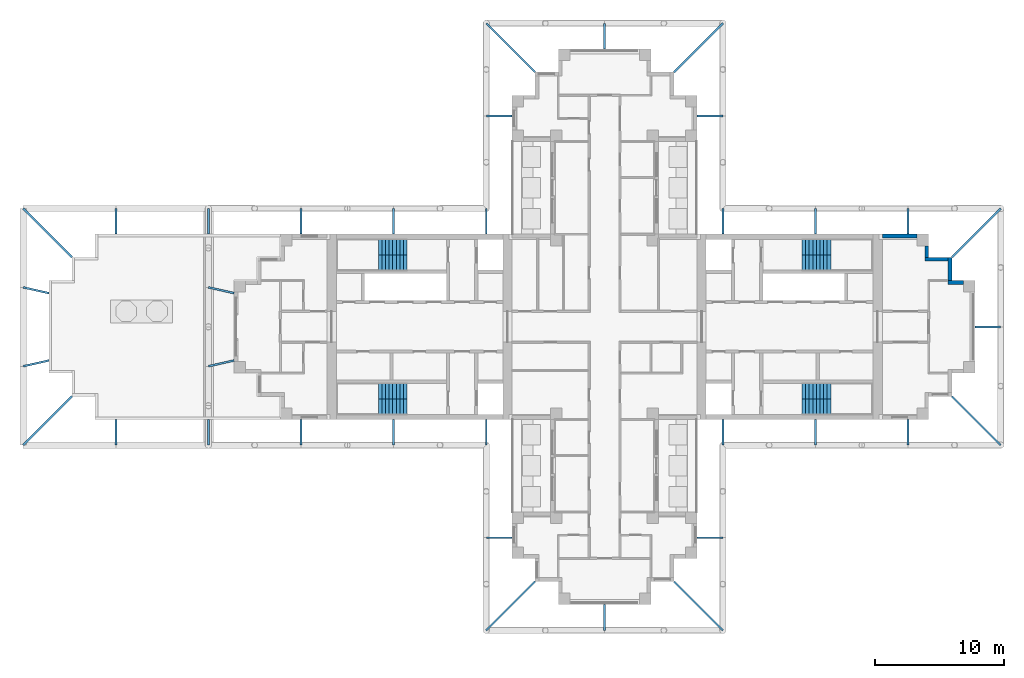
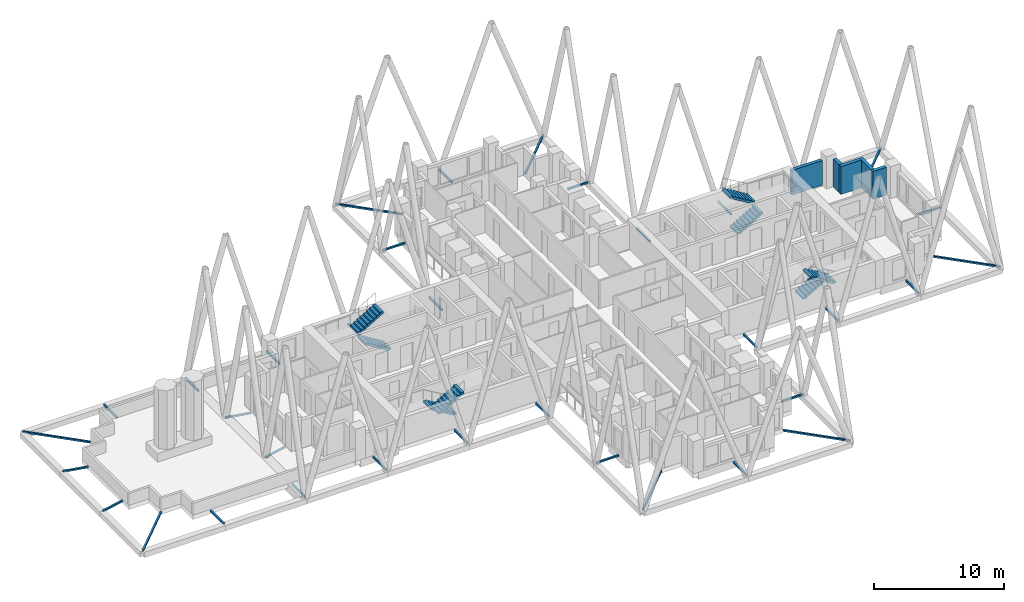
# One storey, part 9 of 11: 35 discrete accessories, 8 stair flights, 5 walls, 4 elements without a shape of their own.
"""IFC4 building model written with IfcOpenShell, lengths in metres."""

from ifc_helpers import new_model, si_unit, direction, frame, frame_2d, origin, origin_2d, place, context, subcontext, project, spatial, polyline, rectangle, hollow_rectangle, outline, extrude, material, layer, layer_set, type_object, element, aggregate, save


model = new_model("IFC4")

# Units and contexts
model_context = context("Model", 3, precision=1e-05, world=origin(), true_north=direction((0.0, 1.0)))
body_context = subcontext(model_context, "Body", "Model", "MODEL_VIEW")
ifc_project = project(units=[si_unit("LENGTHUNIT", "METRE"), si_unit("AREAUNIT", "SQUARE_METRE"), si_unit("VOLUMEUNIT", "CUBIC_METRE"), si_unit("PLANEANGLEUNIT", "RADIAN"), si_unit("MASSUNIT", "GRAM", prefix="KILO")], contexts=[model_context])

# Site, building, storey
site_placement = place(None, origin())
site = spatial("IfcSite", under=ifc_project, at=site_placement, CompositionType="ELEMENT")
building_placement = place(site_placement, origin())
building = spatial("IfcBuilding", under=site, at=building_placement, Name="Fustian Cross Tower", CompositionType="ELEMENT")
storey_placement = place(building_placement, frame((0.0, 0.0, 198.89990234375)))
storey = spatial("IfcBuildingStorey", under=building, at=storey_placement, Name="L62", CompositionType="ELEMENT", Elevation=198.89990234375)

# Walls
ifc_material_1 = material(Name="Dark aluminium cladding on insulated backing wall", Category="aluminium")
ifc_layer = layer(ifc_material_1, 0.300048828125)
ifc_layer_set = layer_set([ifc_layer], Name="Dark aluminium cladding on insulated backing wall")
wall_type = type_object("IfcWallType", Name="XW1 EXTERNAL WALL 300", PredefinedType="SOLIDWALL", material=ifc_layer_set)
wall_1_placement = place(storey_placement, frame((27.89990234375, 3.449951171875, 0.0), z_axis=(0.0, 0.0, 1.0), x_axis=(-1.0, 0.0, 0.0)))
element("IfcWall", 1, at=wall_1_placement, inside=storey, type_object=wall_type, Name="External wall", PredefinedType="SOLIDWALL", context=body_context, shape_type="SweptSolid", body=[
    extrude(rectangle(XDim=1.199951171875, YDim=0.300048828125, at=frame_2d((0.60009765625, 0.0))), origin(), (0.0, 0.0, 1.0), 2.60009765625),
])
wall_2_placement = place(storey_placement, frame((26.85009765625, 3.60009765625, 0.0), z_axis=(0.0, 0.0, 1.0), x_axis=(0.0, 1.0, 0.0)))
element("IfcWall", 2, at=wall_2_placement, inside=storey, type_object=wall_type, Name="External wall", PredefinedType="SOLIDWALL", context=body_context, shape_type="SweptSolid", body=[
    extrude(rectangle(XDim=1.7998046875, YDim=0.300048828125, at=frame_2d((0.89990234375, 0.0))), origin(), (0.0, 0.0, 1.0), 2.60009765625),
])
wall_3_placement = place(storey_placement, frame((26.699951171875, 5.25, 0.0), z_axis=(0.0, 0.0, 1.0), x_axis=(-1.0, 0.0, 0.0)))
element("IfcWall", 3, at=wall_3_placement, inside=storey, type_object=wall_type, Name="External wall", PredefinedType="SOLIDWALL", context=body_context, shape_type="SweptSolid", body=[
    extrude(rectangle(XDim=1.800048828125, YDim=0.300048828125, at=frame_2d((0.89990234375, 0.0))), origin(), (0.0, 0.0, 1.0), 2.60009765625),
])
wall_4_placement = place(storey_placement, frame((25.050048828125, 5.39990234375, 0.0), z_axis=(0.0, 0.0, 1.0), x_axis=(0.0, 1.0, 0.0)))
element("IfcWall", 4, at=wall_4_placement, inside=storey, type_object=wall_type, Name="External wall", PredefinedType="SOLIDWALL", context=body_context, shape_type="SweptSolid", body=[
    extrude(rectangle(XDim=0.900146484375, YDim=0.300048828125, at=frame_2d((0.4501953125, 0.0))), origin(), (0.0, 0.0, 1.0), 2.60009765625),
])
wall_5_placement = place(storey_placement, frame((24.300048828125, 7.050048828125, 0.0), z_axis=(0.0, 0.0, 1.0), x_axis=(-1.0, 0.0, 0.0)))
element("IfcWall", 5, at=wall_5_placement, inside=storey, type_object=wall_type, Name="External wall", PredefinedType="SOLIDWALL", context=body_context, shape_type="SweptSolid", body=[
    extrude(rectangle(XDim=2.699951171875, YDim=0.300048828125, at=frame_2d((1.35009765625, 0.0))), origin(), (0.0, 0.0, 1.0), 2.300048828125),
])

# Stair, stair flights
ifc_material_2 = material(Name="Concrete C50/60", Category="concrete")
stair_type = type_object("IfcStairType", Name="STAIR 1200 HALF TURN", PredefinedType="HALF_TURN_STAIR", material=ifc_material_2)
stair_1_placement = place(storey_placement, origin())
stair_1 = element("IfcStair", 6, at=stair_1_placement, inside=storey, type_object=stair_type, Name="Stair ST1", PredefinedType="HALF_TURN_STAIR")
ifc_material_3 = material(Name="Concrete C50/60", Category="concrete")
stair_flight_type = type_object("IfcStairFlightType", Name="STAIR FLIGHT 1200", PredefinedType="STRAIGHT", material=ifc_material_3)
stair_flight_1_placement = place(storey_placement, frame((15.35009765625, 5.0, 0.0), z_axis=(0.0, 0.0, 1.0), x_axis=(1.0, 0.0, 0.0)))
stair_flight_1 = element("IfcStairFlight", 7, at=stair_flight_1_placement, type_object=stair_flight_type, Name="ST1 flight 1", NumberOfRisers=9, NumberOfTreads=8, PredefinedType="STRAIGHT", RiserHeight=0.166666667, TreadLength=0.28, context=body_context, shape_type="SweptSolid", body=[
    extrude(outline(polyline([(0.0, 0.0), (0.0, 0.166748046875), (0.280029296875, 0.166748046875), (0.280029296875, 0.333251953125), (0.56005859375, 0.333251953125), (0.56005859375, 0.5), (0.840087890625, 0.5), (0.840087890625, 0.666748046875), (1.1201171875, 0.666748046875), (1.1201171875, 0.833251953125), (1.39990234375, 0.833251953125), (1.39990234375, 1.0), (1.679931640625, 1.0), (1.679931640625, 1.166748046875), (1.9599609375, 1.166748046875), (1.9599609375, 1.333251953125), (2.239990234375, 1.333251953125), (2.239990234375, 1.5), (2.239990234375, 1.158935546875), (0.29296875, 0.0), (0.0, 0.0)])), frame((0.0, 0.60009765625, 0.0), z_axis=(0.0, -1.0, 0.0), x_axis=(1.0, 0.0, 0.0)), (0.0, 0.0, 1.0), 1.199951171875),
])
stair_flight_2_placement = place(storey_placement, frame((17.590087890625, 6.199951171875, 1.5), z_axis=(0.0, 0.0, 1.0), x_axis=(-1.0, 0.0, 0.0)))
stair_flight_2 = element("IfcStairFlight", 8, at=stair_flight_2_placement, type_object=stair_flight_type, Name="ST1 flight 2", NumberOfRisers=9, NumberOfTreads=8, PredefinedType="STRAIGHT", RiserHeight=0.166666667, TreadLength=0.28, context=body_context, shape_type="SweptSolid", body=[
    extrude(outline(polyline([(0.0, 0.0), (0.0, 0.166748046875), (0.280029296875, 0.166748046875), (0.280029296875, 0.333251953125), (0.56005859375, 0.333251953125), (0.56005859375, 0.5), (0.840087890625, 0.5), (0.840087890625, 0.666748046875), (1.1201171875, 0.666748046875), (1.1201171875, 0.833251953125), (1.39990234375, 0.833251953125), (1.39990234375, 1.0), (1.679931640625, 1.0), (1.679931640625, 1.166748046875), (1.9599609375, 1.166748046875), (1.9599609375, 1.333251953125), (2.239990234375, 1.333251953125), (2.239990234375, 1.5), (2.239990234375, 1.158935546875), (0.29296875, 0.0), (0.0, 0.0)])), frame((0.0, 0.60009765625, 0.0), z_axis=(0.0, -1.0, 0.0), x_axis=(1.0, 0.0, 0.0)), (0.0, 0.0, 1.0), 1.199951171875),
])
aggregate(stair_1, [stair_flight_1, stair_flight_2])

stair_2_placement = place(storey_placement, origin())
stair_2 = element("IfcStair", 9, at=stair_2_placement, inside=storey, type_object=stair_type, Name="Stair ST2", PredefinedType="HALF_TURN_STAIR")
stair_flight_3_placement = place(storey_placement, frame((15.35009765625, -5.0, 0.0), z_axis=(0.0, 0.0, 1.0), x_axis=(1.0, 0.0, 0.0)))
stair_flight_3 = element("IfcStairFlight", 10, at=stair_flight_3_placement, type_object=stair_flight_type, Name="ST2 flight 1", NumberOfRisers=9, NumberOfTreads=8, PredefinedType="STRAIGHT", RiserHeight=0.166666667, TreadLength=0.28, context=body_context, shape_type="SweptSolid", body=[
    extrude(outline(polyline([(0.0, 0.0), (0.0, 0.166748046875), (0.280029296875, 0.166748046875), (0.280029296875, 0.333251953125), (0.56005859375, 0.333251953125), (0.56005859375, 0.5), (0.840087890625, 0.5), (0.840087890625, 0.666748046875), (1.1201171875, 0.666748046875), (1.1201171875, 0.833251953125), (1.39990234375, 0.833251953125), (1.39990234375, 1.0), (1.679931640625, 1.0), (1.679931640625, 1.166748046875), (1.9599609375, 1.166748046875), (1.9599609375, 1.333251953125), (2.239990234375, 1.333251953125), (2.239990234375, 1.5), (2.239990234375, 1.158935546875), (0.29296875, 0.0), (0.0, 0.0)])), frame((0.0, 0.60009765625, 0.0), z_axis=(0.0, -1.0, 0.0), x_axis=(1.0, 0.0, 0.0)), (0.0, 0.0, 1.0), 1.199951171875),
])
stair_flight_4_placement = place(storey_placement, frame((17.590087890625, -6.199951171875, 1.5), z_axis=(0.0, 0.0, 1.0), x_axis=(-1.0, 0.0, 0.0)))
stair_flight_4 = element("IfcStairFlight", 11, at=stair_flight_4_placement, type_object=stair_flight_type, Name="ST2 flight 2", NumberOfRisers=9, NumberOfTreads=8, PredefinedType="STRAIGHT", RiserHeight=0.166666667, TreadLength=0.28, context=body_context, shape_type="SweptSolid", body=[
    extrude(outline(polyline([(0.0, 0.0), (0.0, 0.166748046875), (0.280029296875, 0.166748046875), (0.280029296875, 0.333251953125), (0.56005859375, 0.333251953125), (0.56005859375, 0.5), (0.840087890625, 0.5), (0.840087890625, 0.666748046875), (1.1201171875, 0.666748046875), (1.1201171875, 0.833251953125), (1.39990234375, 0.833251953125), (1.39990234375, 1.0), (1.679931640625, 1.0), (1.679931640625, 1.166748046875), (1.9599609375, 1.166748046875), (1.9599609375, 1.333251953125), (2.239990234375, 1.333251953125), (2.239990234375, 1.5), (2.239990234375, 1.158935546875), (0.29296875, 0.0), (0.0, 0.0)])), frame((0.0, 0.60009765625, 0.0), z_axis=(0.0, -1.0, 0.0), x_axis=(1.0, 0.0, 0.0)), (0.0, 0.0, 1.0), 1.199951171875),
])
aggregate(stair_2, [stair_flight_3, stair_flight_4])

stair_3_placement = place(storey_placement, origin())
stair_3 = element("IfcStair", 12, at=stair_3_placement, inside=storey, type_object=stair_type, Name="Stair ST3", PredefinedType="HALF_TURN_STAIR")
stair_flight_5_placement = place(storey_placement, frame((-15.35009765625, 5.0, 0.0), z_axis=(0.0, 0.0, 1.0), x_axis=(-1.0, 0.0, 0.0)))
stair_flight_5 = element("IfcStairFlight", 13, at=stair_flight_5_placement, type_object=stair_flight_type, Name="ST3 flight 1", NumberOfRisers=9, NumberOfTreads=8, PredefinedType="STRAIGHT", RiserHeight=0.166666667, TreadLength=0.28, context=body_context, shape_type="SweptSolid", body=[
    extrude(outline(polyline([(0.0, 0.0), (0.0, 0.166748046875), (0.280029296875, 0.166748046875), (0.280029296875, 0.333251953125), (0.56005859375, 0.333251953125), (0.56005859375, 0.5), (0.840087890625, 0.5), (0.840087890625, 0.666748046875), (1.1201171875, 0.666748046875), (1.1201171875, 0.833251953125), (1.39990234375, 0.833251953125), (1.39990234375, 1.0), (1.679931640625, 1.0), (1.679931640625, 1.166748046875), (1.9599609375, 1.166748046875), (1.9599609375, 1.333251953125), (2.239990234375, 1.333251953125), (2.239990234375, 1.5), (2.239990234375, 1.158935546875), (0.29296875, 0.0), (0.0, 0.0)])), frame((0.0, 0.60009765625, 0.0), z_axis=(0.0, -1.0, 0.0), x_axis=(1.0, 0.0, 0.0)), (0.0, 0.0, 1.0), 1.199951171875),
])
stair_flight_6_placement = place(storey_placement, frame((-17.590087890625, 6.199951171875, 1.5), z_axis=(0.0, 0.0, 1.0), x_axis=(1.0, 0.0, 0.0)))
stair_flight_6 = element("IfcStairFlight", 14, at=stair_flight_6_placement, type_object=stair_flight_type, Name="ST3 flight 2", NumberOfRisers=9, NumberOfTreads=8, PredefinedType="STRAIGHT", RiserHeight=0.166666667, TreadLength=0.28, context=body_context, shape_type="SweptSolid", body=[
    extrude(outline(polyline([(0.0, 0.0), (0.0, 0.166748046875), (0.280029296875, 0.166748046875), (0.280029296875, 0.333251953125), (0.56005859375, 0.333251953125), (0.56005859375, 0.5), (0.840087890625, 0.5), (0.840087890625, 0.666748046875), (1.1201171875, 0.666748046875), (1.1201171875, 0.833251953125), (1.39990234375, 0.833251953125), (1.39990234375, 1.0), (1.679931640625, 1.0), (1.679931640625, 1.166748046875), (1.9599609375, 1.166748046875), (1.9599609375, 1.333251953125), (2.239990234375, 1.333251953125), (2.239990234375, 1.5), (2.239990234375, 1.158935546875), (0.29296875, 0.0), (0.0, 0.0)])), frame((0.0, 0.60009765625, 0.0), z_axis=(0.0, -1.0, 0.0), x_axis=(1.0, 0.0, 0.0)), (0.0, 0.0, 1.0), 1.199951171875),
])
aggregate(stair_3, [stair_flight_5, stair_flight_6])

stair_4_placement = place(storey_placement, origin())
stair_4 = element("IfcStair", 15, at=stair_4_placement, inside=storey, type_object=stair_type, Name="Stair ST4", PredefinedType="HALF_TURN_STAIR")
stair_flight_7_placement = place(storey_placement, frame((-15.35009765625, -5.0, 0.0), z_axis=(0.0, 0.0, 1.0), x_axis=(-1.0, 0.0, 0.0)))
stair_flight_7 = element("IfcStairFlight", 16, at=stair_flight_7_placement, type_object=stair_flight_type, Name="ST4 flight 1", NumberOfRisers=9, NumberOfTreads=8, PredefinedType="STRAIGHT", RiserHeight=0.166666667, TreadLength=0.28, context=body_context, shape_type="SweptSolid", body=[
    extrude(outline(polyline([(0.0, 0.0), (0.0, 0.166748046875), (0.280029296875, 0.166748046875), (0.280029296875, 0.333251953125), (0.56005859375, 0.333251953125), (0.56005859375, 0.5), (0.840087890625, 0.5), (0.840087890625, 0.666748046875), (1.1201171875, 0.666748046875), (1.1201171875, 0.833251953125), (1.39990234375, 0.833251953125), (1.39990234375, 1.0), (1.679931640625, 1.0), (1.679931640625, 1.166748046875), (1.9599609375, 1.166748046875), (1.9599609375, 1.333251953125), (2.239990234375, 1.333251953125), (2.239990234375, 1.5), (2.239990234375, 1.158935546875), (0.29296875, 0.0), (0.0, 0.0)])), frame((0.0, 0.60009765625, 0.0), z_axis=(0.0, -1.0, 0.0), x_axis=(1.0, 0.0, 0.0)), (0.0, 0.0, 1.0), 1.199951171875),
])
stair_flight_8_placement = place(storey_placement, frame((-17.590087890625, -6.199951171875, 1.5), z_axis=(0.0, 0.0, 1.0), x_axis=(1.0, 0.0, 0.0)))
stair_flight_8 = element("IfcStairFlight", 17, at=stair_flight_8_placement, type_object=stair_flight_type, Name="ST4 flight 2", NumberOfRisers=9, NumberOfTreads=8, PredefinedType="STRAIGHT", RiserHeight=0.166666667, TreadLength=0.28, context=body_context, shape_type="SweptSolid", body=[
    extrude(outline(polyline([(0.0, 0.0), (0.0, 0.166748046875), (0.280029296875, 0.166748046875), (0.280029296875, 0.333251953125), (0.56005859375, 0.333251953125), (0.56005859375, 0.5), (0.840087890625, 0.5), (0.840087890625, 0.666748046875), (1.1201171875, 0.666748046875), (1.1201171875, 0.833251953125), (1.39990234375, 0.833251953125), (1.39990234375, 1.0), (1.679931640625, 1.0), (1.679931640625, 1.166748046875), (1.9599609375, 1.166748046875), (1.9599609375, 1.333251953125), (2.239990234375, 1.333251953125), (2.239990234375, 1.5), (2.239990234375, 1.158935546875), (0.29296875, 0.0), (0.0, 0.0)])), frame((0.0, 0.60009765625, 0.0), z_axis=(0.0, -1.0, 0.0), x_axis=(1.0, 0.0, 0.0)), (0.0, 0.0, 1.0), 1.199951171875),
])
aggregate(stair_4, [stair_flight_7, stair_flight_8])

# Discrete accessories
ifc_material_4 = material(Name="Steel S355", Category="steel")
discrete_accessory_1_placement = place(storey_placement, frame((30.800048828125, 0.0, -0.14990234375), z_axis=(-1.0, 0.0, 0.0), x_axis=(0.0, -1.0, 0.0)))
element("IfcDiscreteAccessory", 18, at=discrete_accessory_1_placement, inside=storey, material=ifc_material_4, Name="Diagrid node bracket L62-01", PredefinedType="BRACKET", context=body_context, shape_type="SweptSolid", body=[
    extrude(hollow_rectangle(XDim=0.14990234375, YDim=0.14990234375, WallThickness=0.010009765625, at=origin_2d()), origin(), (0.0, 0.0, 1.0), 2.0),
])
discrete_accessory_2_placement = place(storey_placement, frame((30.800048828125, 9.199951171875, -0.14990234375), z_axis=(-0.707106781187, -0.707106781187, 0.0), x_axis=(0.707106781187, -0.707106781187, 0.0)))
element("IfcDiscreteAccessory", 19, at=discrete_accessory_2_placement, inside=storey, material=ifc_material_4, Name="Diagrid node bracket L62-02", PredefinedType="BRACKET", context=body_context, shape_type="SweptSolid", body=[
    extrude(hollow_rectangle(XDim=0.14990234375, YDim=0.14990234375, WallThickness=0.010009765625, at=origin_2d()), origin(), (0.0, 0.0, 1.0), 5.3740234375),
])
for number, where, z_axis, x_axis, name in (
    (20, (23.60009765625, 9.199951171875, -0.14990234375), (0.0, -1.0, 0.0), (1.0, 0.0, 0.0), "Diagrid node bracket L62-03"),
    (21, (16.39990234375, 9.199951171875, -0.14990234375), (0.0, -1.0, 0.0), (1.0, 0.0, 0.0), "Diagrid node bracket L62-04"),
    (22, (9.199951171875, 9.199951171875, -0.14990234375), (0.0, -1.0, 0.0), (1.0, 0.0, 0.0), "Diagrid node bracket L62-05"),
    (23, (9.199951171875, 16.39990234375, -0.14990234375), (-1.0, 0.0, 0.0), (0.0, -1.0, 0.0), "Diagrid node bracket L62-06"),
):
    element("IfcDiscreteAccessory", number, at=place(storey_placement, frame(where, z_axis=z_axis, x_axis=x_axis)), inside=storey, material=ifc_material_4, Name=name, PredefinedType="BRACKET", context=body_context, shape_type="SweptSolid", body=[
        extrude(hollow_rectangle(XDim=0.14990234375, YDim=0.14990234375, WallThickness=0.010009765625, at=origin_2d()), origin(), (0.0, 0.0, 1.0), 2.0),
    ])
discrete_accessory_3_placement = place(storey_placement, frame((9.199951171875, 23.60009765625, -0.14990234375), z_axis=(-0.707106781187, -0.707106781187, 0.0), x_axis=(0.707106781187, -0.707106781187, 0.0)))
element("IfcDiscreteAccessory", 24, at=discrete_accessory_3_placement, inside=storey, material=ifc_material_4, Name="Diagrid node bracket L62-07", PredefinedType="BRACKET", context=body_context, shape_type="SweptSolid", body=[
    extrude(hollow_rectangle(XDim=0.14990234375, YDim=0.14990234375, WallThickness=0.010009765625, at=origin_2d()), origin(), (0.0, 0.0, 1.0), 5.3740234375),
])
discrete_accessory_4_placement = place(storey_placement, frame((0.0, 23.60009765625, -0.14990234375), z_axis=(0.0, -1.0, 0.0), x_axis=(1.0, 0.0, 0.0)))
element("IfcDiscreteAccessory", 25, at=discrete_accessory_4_placement, inside=storey, material=ifc_material_4, Name="Diagrid node bracket L62-08", PredefinedType="BRACKET", context=body_context, shape_type="SweptSolid", body=[
    extrude(hollow_rectangle(XDim=0.14990234375, YDim=0.14990234375, WallThickness=0.010009765625, at=origin_2d()), origin(), (0.0, 0.0, 1.0), 2.0),
])
discrete_accessory_5_placement = place(storey_placement, frame((-9.199951171875, 23.60009765625, -0.14990234375), z_axis=(0.707106781187, -0.707106781187, 0.0), x_axis=(0.707106781187, 0.707106781187, 0.0)))
element("IfcDiscreteAccessory", 26, at=discrete_accessory_5_placement, inside=storey, material=ifc_material_4, Name="Diagrid node bracket L62-09", PredefinedType="BRACKET", context=body_context, shape_type="SweptSolid", body=[
    extrude(hollow_rectangle(XDim=0.14990234375, YDim=0.14990234375, WallThickness=0.010009765625, at=origin_2d()), origin(), (0.0, 0.0, 1.0), 5.3740234375),
])
for number, where, z_axis, x_axis, name in (
    (27, (-9.199951171875, 16.39990234375, -0.14990234375), (1.0, 0.0, 0.0), (0.0, 1.0, 0.0), "Diagrid node bracket L62-10"),
    (28, (-9.199951171875, 9.199951171875, -0.14990234375), (0.0, -1.0, 0.0), (1.0, 0.0, 0.0), "Diagrid node bracket L62-11"),
    (29, (-16.39990234375, 9.199951171875, -0.14990234375), (0.0, -1.0, 0.0), (1.0, 0.0, 0.0), "Diagrid node bracket L62-12"),
    (30, (-23.60009765625, 9.199951171875, -0.14990234375), (0.0, -1.0, 0.0), (1.0, 0.0, 0.0), "Diagrid node bracket L62-13"),
    (31, (-30.800048828125, 9.199951171875, -0.14990234375), (0.0, -1.0, 0.0), (1.0, 0.0, 0.0), "Diagrid node bracket L62-14"),
    (32, (-38.0, 9.199951171875, -0.14990234375), (0.0, -1.0, 0.0), (1.0, 0.0, 0.0), "Diagrid node bracket L62-15"),
):
    element("IfcDiscreteAccessory", number, at=place(storey_placement, frame(where, z_axis=z_axis, x_axis=x_axis)), inside=storey, material=ifc_material_4, Name=name, PredefinedType="BRACKET", context=body_context, shape_type="SweptSolid", body=[
        extrude(hollow_rectangle(XDim=0.14990234375, YDim=0.14990234375, WallThickness=0.010009765625, at=origin_2d()), origin(), (0.0, 0.0, 1.0), 2.0),
    ])
discrete_accessory_6_placement = place(storey_placement, frame((-45.199951171875, 9.199951171875, -0.14990234375), z_axis=(0.707106781187, -0.707106781187, 0.0), x_axis=(0.707106781187, 0.707106781187, 0.0)))
element("IfcDiscreteAccessory", 33, at=discrete_accessory_6_placement, inside=storey, material=ifc_material_4, Name="Diagrid node bracket L62-16", PredefinedType="BRACKET", context=body_context, shape_type="SweptSolid", body=[
    extrude(hollow_rectangle(XDim=0.14990234375, YDim=0.14990234375, WallThickness=0.010009765625, at=origin_2d()), origin(), (0.0, 0.0, 1.0), 5.3740234375),
])
for number, where, z_axis, x_axis, name in (
    (34, (-30.800048828125, 3.066650390625, -0.14990234375), (0.97561485681, -0.21948952406, 0.0), (0.21948952406, 0.97561485681, 0.0), "Diagrid node bracket L62-17"),
    (35, (-45.199951171875, 3.066650390625, -0.14990234375), (0.97561485681, -0.21948952406, 0.0), (0.21948952406, 0.97561485681, 0.0), "Diagrid node bracket L62-18"),
    (36, (-45.199951171875, -3.066650390625, -0.14990234375), (0.97561485681, 0.21948952406, 0.0), (-0.21948952406, 0.97561485681, 0.0), "Diagrid node bracket L62-19"),
    (37, (-30.800048828125, -3.066650390625, -0.14990234375), (0.97561485681, 0.21948952406, 0.0), (-0.21948952406, 0.97561485681, 0.0), "Diagrid node bracket L62-20"),
):
    element("IfcDiscreteAccessory", number, at=place(storey_placement, frame(where, z_axis=z_axis, x_axis=x_axis)), inside=storey, material=ifc_material_4, Name=name, PredefinedType="BRACKET", context=body_context, shape_type="SweptSolid", body=[
        extrude(hollow_rectangle(XDim=0.14990234375, YDim=0.14990234375, WallThickness=0.010009765625, at=origin_2d()), origin(), (0.0, 0.0, 1.0), 2.050048828125),
    ])
discrete_accessory_7_placement = place(storey_placement, frame((-45.199951171875, -9.199951171875, -0.14990234375), z_axis=(0.707106781187, 0.707106781187, 0.0), x_axis=(-0.707106781187, 0.707106781187, 0.0)))
element("IfcDiscreteAccessory", 38, at=discrete_accessory_7_placement, inside=storey, material=ifc_material_4, Name="Diagrid node bracket L62-21", PredefinedType="BRACKET", context=body_context, shape_type="SweptSolid", body=[
    extrude(hollow_rectangle(XDim=0.14990234375, YDim=0.14990234375, WallThickness=0.010009765625, at=origin_2d()), origin(), (0.0, 0.0, 1.0), 5.3740234375),
])
for number, where, z_axis, x_axis, name in (
    (39, (-38.0, -9.199951171875, -0.14990234375), (0.0, 1.0, 0.0), (-1.0, 0.0, 0.0), "Diagrid node bracket L62-22"),
    (40, (-30.800048828125, -9.199951171875, -0.14990234375), (0.0, 1.0, 0.0), (-1.0, 0.0, 0.0), "Diagrid node bracket L62-23"),
    (41, (-23.60009765625, -9.199951171875, -0.14990234375), (0.0, 1.0, 0.0), (-1.0, 0.0, 0.0), "Diagrid node bracket L62-24"),
    (42, (-16.39990234375, -9.199951171875, -0.14990234375), (0.0, 1.0, 0.0), (-1.0, 0.0, 0.0), "Diagrid node bracket L62-25"),
    (43, (-9.199951171875, -9.199951171875, -0.14990234375), (0.0, 1.0, 0.0), (-1.0, 0.0, 0.0), "Diagrid node bracket L62-26"),
    (44, (-9.199951171875, -16.39990234375, -0.14990234375), (1.0, 0.0, 0.0), (0.0, 1.0, 0.0), "Diagrid node bracket L62-27"),
):
    element("IfcDiscreteAccessory", number, at=place(storey_placement, frame(where, z_axis=z_axis, x_axis=x_axis)), inside=storey, material=ifc_material_4, Name=name, PredefinedType="BRACKET", context=body_context, shape_type="SweptSolid", body=[
        extrude(hollow_rectangle(XDim=0.14990234375, YDim=0.14990234375, WallThickness=0.010009765625, at=origin_2d()), origin(), (0.0, 0.0, 1.0), 2.0),
    ])
discrete_accessory_8_placement = place(storey_placement, frame((-9.199951171875, -23.60009765625, -0.14990234375), z_axis=(0.707106781187, 0.707106781187, 0.0), x_axis=(-0.707106781187, 0.707106781187, 0.0)))
element("IfcDiscreteAccessory", 45, at=discrete_accessory_8_placement, inside=storey, material=ifc_material_4, Name="Diagrid node bracket L62-28", PredefinedType="BRACKET", context=body_context, shape_type="SweptSolid", body=[
    extrude(hollow_rectangle(XDim=0.14990234375, YDim=0.14990234375, WallThickness=0.010009765625, at=origin_2d()), origin(), (0.0, 0.0, 1.0), 5.3740234375),
])
discrete_accessory_9_placement = place(storey_placement, frame((0.0, -23.60009765625, -0.14990234375), z_axis=(0.0, 1.0, 0.0), x_axis=(-1.0, 0.0, 0.0)))
element("IfcDiscreteAccessory", 46, at=discrete_accessory_9_placement, inside=storey, material=ifc_material_4, Name="Diagrid node bracket L62-29", PredefinedType="BRACKET", context=body_context, shape_type="SweptSolid", body=[
    extrude(hollow_rectangle(XDim=0.14990234375, YDim=0.14990234375, WallThickness=0.010009765625, at=origin_2d()), origin(), (0.0, 0.0, 1.0), 2.0),
])
discrete_accessory_10_placement = place(storey_placement, frame((9.199951171875, -23.60009765625, -0.14990234375), z_axis=(-0.707106781187, 0.707106781187, 0.0), x_axis=(-0.707106781187, -0.707106781187, 0.0)))
element("IfcDiscreteAccessory", 47, at=discrete_accessory_10_placement, inside=storey, material=ifc_material_4, Name="Diagrid node bracket L62-30", PredefinedType="BRACKET", context=body_context, shape_type="SweptSolid", body=[
    extrude(hollow_rectangle(XDim=0.14990234375, YDim=0.14990234375, WallThickness=0.010009765625, at=origin_2d()), origin(), (0.0, 0.0, 1.0), 5.3740234375),
])
for number, where, z_axis, x_axis, name in (
    (48, (9.199951171875, -16.39990234375, -0.14990234375), (-1.0, 0.0, 0.0), (0.0, -1.0, 0.0), "Diagrid node bracket L62-31"),
    (49, (9.199951171875, -9.199951171875, -0.14990234375), (0.0, 1.0, 0.0), (-1.0, 0.0, 0.0), "Diagrid node bracket L62-32"),
    (50, (16.39990234375, -9.199951171875, -0.14990234375), (0.0, 1.0, 0.0), (-1.0, 0.0, 0.0), "Diagrid node bracket L62-33"),
    (51, (23.60009765625, -9.199951171875, -0.14990234375), (0.0, 1.0, 0.0), (-1.0, 0.0, 0.0), "Diagrid node bracket L62-34"),
):
    element("IfcDiscreteAccessory", number, at=place(storey_placement, frame(where, z_axis=z_axis, x_axis=x_axis)), inside=storey, material=ifc_material_4, Name=name, PredefinedType="BRACKET", context=body_context, shape_type="SweptSolid", body=[
        extrude(hollow_rectangle(XDim=0.14990234375, YDim=0.14990234375, WallThickness=0.010009765625, at=origin_2d()), origin(), (0.0, 0.0, 1.0), 2.0),
    ])
discrete_accessory_11_placement = place(storey_placement, frame((30.800048828125, -9.199951171875, -0.14990234375), z_axis=(-0.707106781187, 0.707106781187, 0.0), x_axis=(-0.707106781187, -0.707106781187, 0.0)))
element("IfcDiscreteAccessory", 52, at=discrete_accessory_11_placement, inside=storey, material=ifc_material_4, Name="Diagrid node bracket L62-35", PredefinedType="BRACKET", context=body_context, shape_type="SweptSolid", body=[
    extrude(hollow_rectangle(XDim=0.14990234375, YDim=0.14990234375, WallThickness=0.010009765625, at=origin_2d()), origin(), (0.0, 0.0, 1.0), 5.3740234375),
])

save(model, "model.ifc")
